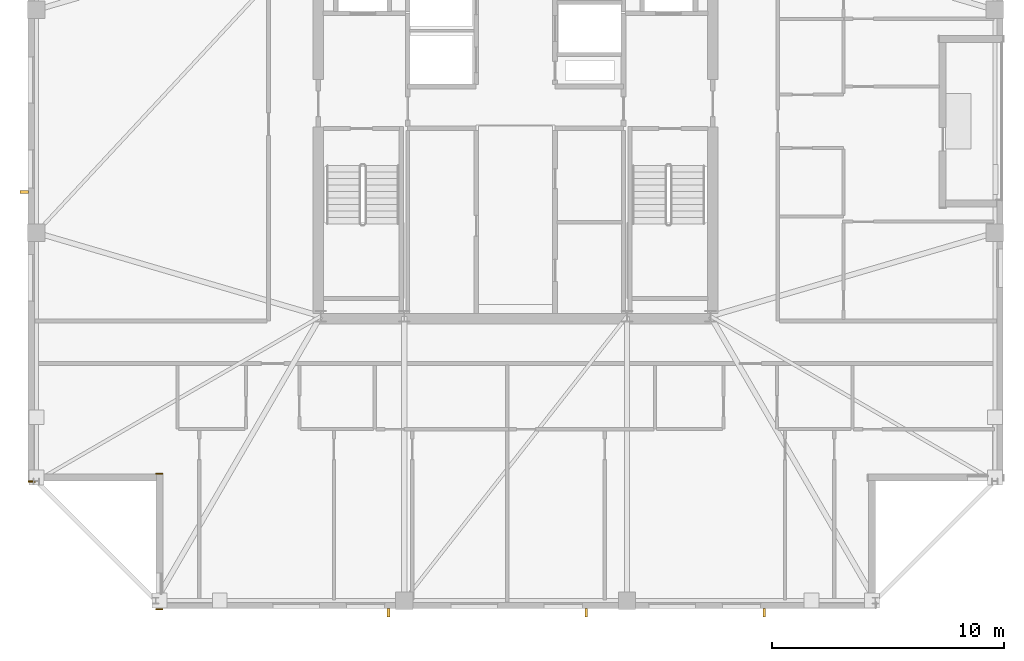
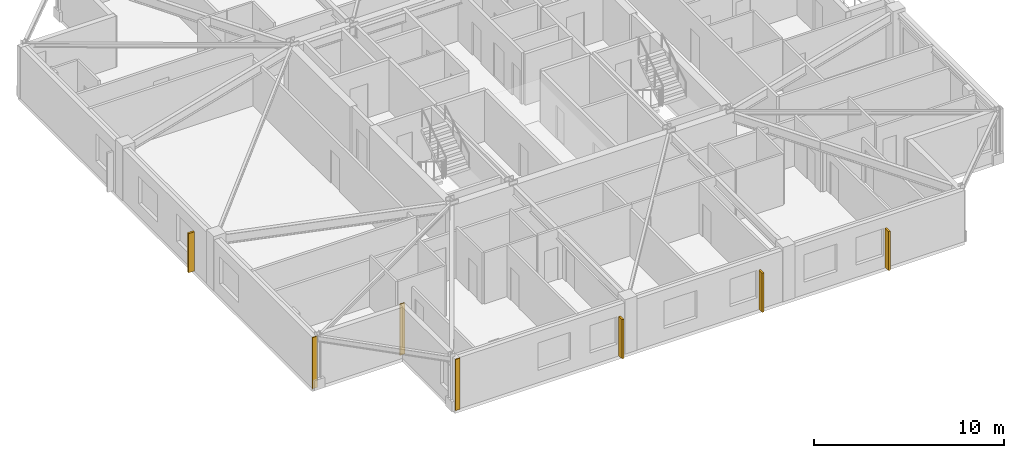
# One storey, part 12 of 15: 4 shading devices, 3 coverings.
"""IFC4 building model written with IfcOpenShell, lengths in metres."""

from ifc_helpers import new_model, si_unit, direction, frame, frame_2d, origin, origin_2d, place, context, subcontext, project, spatial, rectangle, extrude, material, layer, layer_set, type_object, element, save


model = new_model("IFC4")

# Units and contexts
model_context = context("Model", 3, precision=1e-05, world=origin(), true_north=direction((0.0, 1.0)))
body_context = subcontext(model_context, "Body", "Model", "MODEL_VIEW")
ifc_project = project(units=[si_unit("LENGTHUNIT", "METRE"), si_unit("AREAUNIT", "SQUARE_METRE"), si_unit("VOLUMEUNIT", "CUBIC_METRE"), si_unit("PLANEANGLEUNIT", "RADIAN"), si_unit("MASSUNIT", "GRAM", prefix="KILO")], contexts=[model_context])

# Site, building, storey
site_placement = place(None, origin())
site = spatial("IfcSite", under=ifc_project, at=site_placement, CompositionType="ELEMENT")
building_placement = place(site_placement, origin())
building = spatial("IfcBuilding", under=site, at=building_placement, Name="Cairnveth Concourse Tower", CompositionType="ELEMENT")
storey_placement = place(building_placement, frame((0.0, 0.0, 305.0)))
storey = spatial("IfcBuildingStorey", under=building, at=storey_placement, Name="L84", CompositionType="ELEMENT", Elevation=305.0)

# Coverings
ifc_material_1 = material(Name="Dressed Melbourne Bluestone Cladding", Category="masonry")
ifc_layer = layer(ifc_material_1, 0.050048828125)
ifc_layer_set = layer_set([ifc_layer], Name="Dressed Melbourne Bluestone Cladding")
covering_type = type_object("IfcCoveringType", Name="DRESSED BLUESTONE PLINTH CLADDING 50", PredefinedType="CLADDING", material=ifc_layer_set)
for number, where, z_axis, x_axis, name in (
    (1, (36.800048828125, 17.97998046875, 0.0), (0.0, 0.0, 1.0), (-1.0, 0.0, 0.0), "Melbourne Bluestone Corner Quoin L84-1279"),
    (2, (36.800048828125, 23.820068359375, 0.0), (0.0, 0.0, 1.0), (-1.0, 0.0, 0.0), "Melbourne Bluestone Corner Quoin L84-1280"),
    (3, (31.300048828125, 23.47998046875, 0.0), (0.0, 0.0, 1.0), (-1.0, 0.0, 0.0), "Melbourne Bluestone Corner Quoin L84-1281"),
):
    element("IfcCovering", number, at=place(storey_placement, frame(where, z_axis=z_axis, x_axis=x_axis)), inside=storey, type_object=covering_type, Name=name, PredefinedType="CLADDING", context=body_context, shape_type="SweptSolid", body=[
        extrude(rectangle(XDim=0.300048828125, YDim=0.050048828125, at=frame_2d((0.14990234375, 0.0))), origin(), (0.0, 0.0, 1.0), 3.2900390625),
    ])

# Shading devices
ifc_material_2 = material(Name="Architectural Bronze Anodised Aluminium 6063-T6", Category="aluminium")
shading_device_type = type_object("IfcShadingDeviceType", Name="GOTHIC BRONZE VERTICAL LANCET FIN", PredefinedType="USERDEFINED", material=ifc_material_2)
for number, where, z_axis, x_axis, name in (
    (4, (62.716552734375, 17.824951171875, 0.030029296875), (0.0, 0.0, 1.0), (1.0, 0.0, 0.0), "Gothic Bronze Vertical Fin L84-3-1"),
    (5, (55.04248046875, 17.824951171875, 0.030029296875), (0.0, 0.0, 1.0), (1.0, 0.0, 0.0), "Gothic Bronze Vertical Fin L84-3-3"),
    (6, (46.5185546875, 17.824951171875, 0.030029296875), (0.0, 0.0, 1.0), (1.0, 0.0, 0.0), "Gothic Bronze Vertical Fin L84-3-5"),
    (7, (30.824951171875, 35.95751953125, 0.030029296875), (0.0, 0.0, 1.0), (0.0, 1.0, 0.0), "Gothic Bronze Vertical Fin L84-6-3"),
):
    element("IfcShadingDevice", number, at=place(storey_placement, frame(where, z_axis=z_axis, x_axis=x_axis)), inside=storey, type_object=shading_device_type, Name=name, ObjectType="VERTICAL FIN", PredefinedType="USERDEFINED", context=body_context, shape_type="SweptSolid", body=[
        extrude(rectangle(XDim=0.1201171875, YDim=0.360107421875, at=origin_2d()), origin(), (0.0, 0.0, 1.0), 2.51806640625),
    ])

save(model, "model.ifc")
